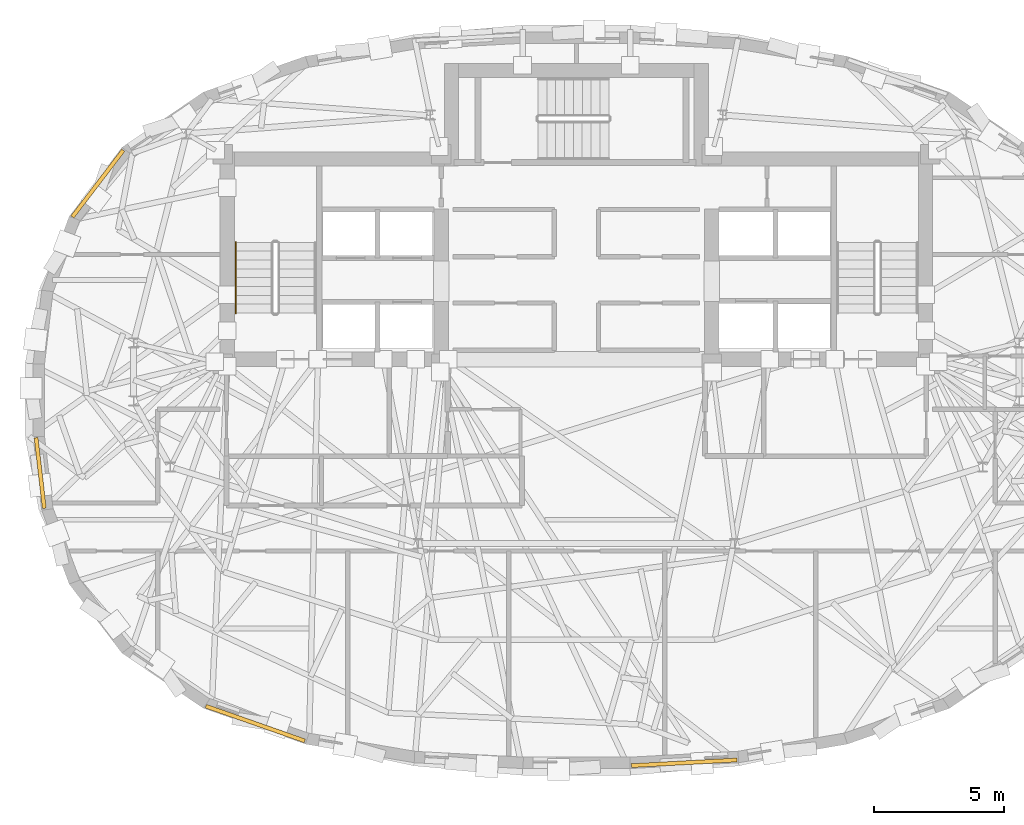
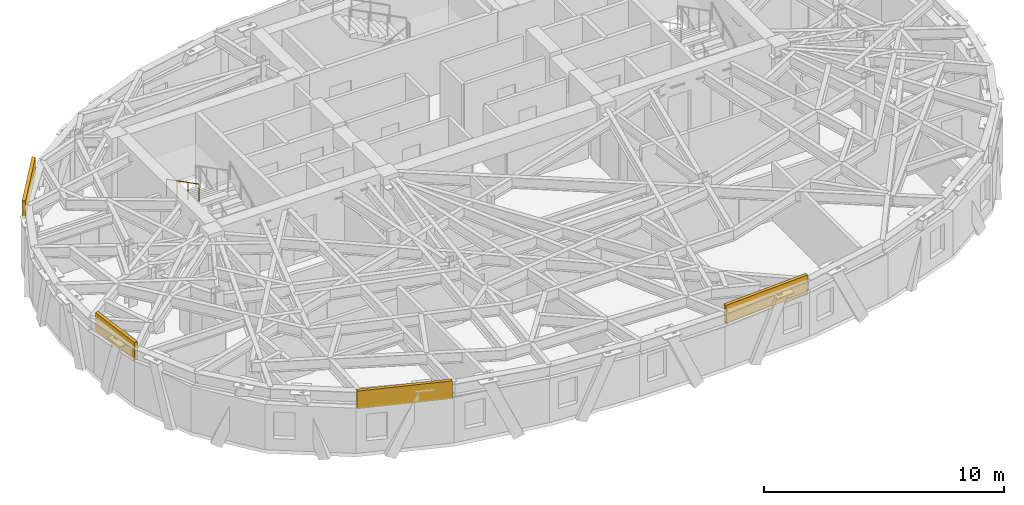
# One storey, part 10 of 12: 4 coverings, 1 railing.
"""IFC4 building model written with IfcOpenShell, lengths in metres."""

from ifc_helpers import new_model, si_unit, direction, frame, origin, origin_2d, place, context, subcontext, project, spatial, rectangle, circle, extrude, material, layer, layer_set, type_object, element, save


model = new_model("IFC4")

# Units and contexts
model_context = context("Model", 3, precision=1e-05, world=origin(), true_north=direction((0.0, 1.0)))
body_context = subcontext(model_context, "Body", "Model", "MODEL_VIEW")
ifc_project = project(units=[si_unit("LENGTHUNIT", "METRE"), si_unit("AREAUNIT", "SQUARE_METRE"), si_unit("VOLUMEUNIT", "CUBIC_METRE"), si_unit("PLANEANGLEUNIT", "RADIAN"), si_unit("MASSUNIT", "GRAM", prefix="KILO")], contexts=[model_context])

# Site, building, storey
site_placement = place(None, origin())
site = spatial("IfcSite", under=ifc_project, at=site_placement, CompositionType="ELEMENT")
building_placement = place(site_placement, origin())
building = spatial("IfcBuilding", under=site, at=building_placement, Name="Keldmark Tower", CompositionType="ELEMENT")
storey_placement = place(building_placement, frame((0.0, 0.0, 257.25)))
storey = spatial("IfcBuildingStorey", under=building, at=storey_placement, Name="L73", CompositionType="ELEMENT", Elevation=257.25)

# Coverings
ifc_material_1 = material(Name="Honed Kasota Buff Dolomitic Limestone", Category="masonry")
ifc_layer = layer(ifc_material_1, 0.074951171875)
ifc_layer_set = layer_set([ifc_layer], Name="Honed Kasota Buff Dolomitic Limestone")
covering_type = type_object("IfcCoveringType", Name="Kasota Buff Limestone Spandrel Cladding Band", PredefinedType="CLADDING", material=ifc_layer_set)
covering_1_placement = place(storey_placement, frame((-18.401611328125, 8.328857421875, 2.22021484375), z_axis=(0.0, 0.0, 1.0), x_axis=(-0.606862702537, -0.794806681068, 0.0)))
element("IfcCovering", 1, at=covering_1_placement, inside=storey, type_object=covering_type, Name="L73 Kasota Limestone Spandrel Band 13", PredefinedType="CLADDING", context=body_context, shape_type="SweptSolid", body=[
    extrude(rectangle(XDim=3.22119140625, YDim=0.14990234375, at=origin_2d()), origin(), (0.0, 0.0, 1.0), 0.909912109375),
])
covering_2_placement = place(storey_placement, frame((-20.616943359375, -2.799072265625, 2.22021484375), z_axis=(0.0, 0.0, 1.0), x_axis=(0.11623737356, -0.993221462207, 0.0)))
element("IfcCovering", 2, at=covering_2_placement, inside=storey, type_object=covering_type, Name="L73 Kasota Limestone Spandrel Band 17", PredefinedType="CLADDING", context=body_context, shape_type="SweptSolid", body=[
    extrude(rectangle(XDim=2.732666015625, YDim=0.14990234375, at=origin_2d()), origin(), (0.0, 0.0, 1.0), 0.909912109375),
])
covering_3_placement = place(storey_placement, frame((-12.3466796875, -12.431640625, 2.22021484375), z_axis=(0.0, 0.0, 1.0), x_axis=(0.943569979028, -0.331173209479, 0.0)))
element("IfcCovering", 3, at=covering_3_placement, inside=storey, type_object=covering_type, Name="L73 Kasota Limestone Spandrel Band 21", PredefinedType="CLADDING", context=body_context, shape_type="SweptSolid", body=[
    extrude(rectangle(XDim=4.03125, YDim=0.14990234375, at=origin_2d()), origin(), (0.0, 0.0, 1.0), 0.909912109375),
])
covering_4_placement = place(storey_placement, frame((4.141357421875, -13.942138671875, 2.22021484375), z_axis=(0.0, 0.0, 1.0), x_axis=(0.998556424176, 0.053712826556, 0.0)))
element("IfcCovering", 4, at=covering_4_placement, inside=storey, type_object=covering_type, Name="L73 Kasota Limestone Spandrel Band 25", PredefinedType="CLADDING", context=body_context, shape_type="SweptSolid", body=[
    extrude(rectangle(XDim=4.065185546875, YDim=0.14990234375, at=origin_2d()), origin(), (0.0, 0.0, 1.0), 0.909912109375),
])

# Railing
ifc_material_2 = material(Name="Stainless Steel AISI 316L", Category="steel")
railing_type = type_object("IfcRailingType", Name="Stainless Steel Stair Handrail 900 mm", PredefinedType="HANDRAIL", material=ifc_material_2)
railing_placement = place(storey_placement, frame((-13.10009765625, 6.070068359375, 1.75)))
element("IfcRailing", 5, at=railing_placement, inside=storey, type_object=railing_type, Name="L73 ST1 stair handrail 2", PredefinedType="HANDRAIL", context=body_context, shape_type="SweptSolid", body=[
    extrude(circle(Radius=0.02392578125, at=origin_2d()), frame((0.0, 0.0, 0.8759765625), z_axis=(0.0, -0.889146794209, 0.457622091194), x_axis=(1.0, 0.0, 0.0)), (0.0, 0.0, 1.0), 3.05908203125),
    extrude(circle(Radius=0.02099609375, at=origin_2d()), origin(), (0.0, 0.0, 1.0), 0.851806640625),
    extrude(circle(Radius=0.02099609375, at=origin_2d()), frame((0.0, -0.90673828125, 0.466552734375)), (0.0, 0.0, 1.0), 0.851806640625),
    extrude(circle(Radius=0.02099609375, at=origin_2d()), frame((0.0, -1.813232421875, 0.933349609375)), (0.0, 0.0, 1.0), 0.851806640625),
    extrude(circle(Radius=0.02099609375, at=origin_2d()), frame((0.0, -2.719970703125, 1.39990234375)), (0.0, 0.0, 1.0), 0.851806640625),
])

save(model, "model.ifc")
